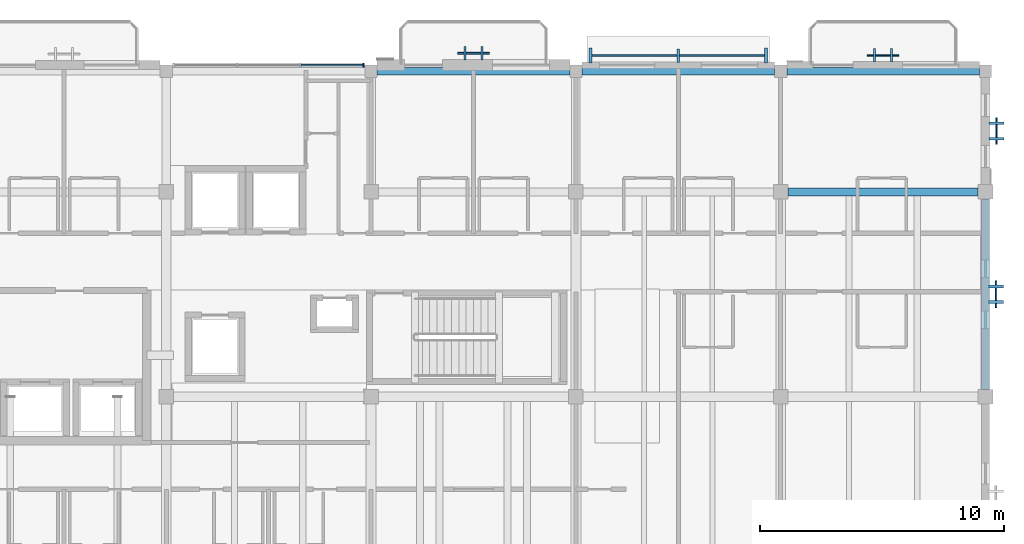
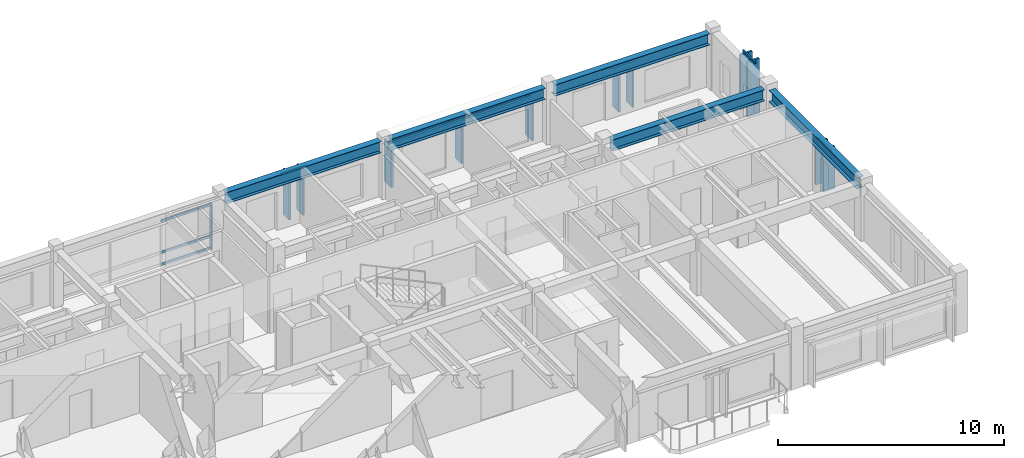
# One storey, part 4 of 31: 20 members, 5 beams, 6 elements without a shape of their own.
"""IFC4 building model written with IfcOpenShell, lengths in metres."""

from ifc_helpers import new_model, si_unit, direction, frame, origin, origin_2d, place, context, subcontext, project, spatial, rectangle, i_section, extrude, material, material_profile, profile_set, type_object, element, aggregate, save


model = new_model("IFC4")

# Units and contexts
model_context = context("Model", 3, precision=1e-05, world=origin(), true_north=direction((0.0, 1.0)))
body_context = subcontext(model_context, "Body", "Model", "MODEL_VIEW")
ifc_project = project(units=[si_unit("LENGTHUNIT", "METRE"), si_unit("AREAUNIT", "SQUARE_METRE"), si_unit("VOLUMEUNIT", "CUBIC_METRE"), si_unit("PLANEANGLEUNIT", "RADIAN"), si_unit("MASSUNIT", "GRAM", prefix="KILO")], contexts=[model_context])

# Site, building, storey
site_placement = place(None, origin())
site = spatial("IfcSite", under=ifc_project, at=site_placement, CompositionType="ELEMENT")
building_placement = place(site_placement, origin())
building = spatial("IfcBuilding", under=site, at=building_placement, Name="Cumbredor Promenade Congress Hotel", CompositionType="ELEMENT")
storey_placement = place(building_placement, frame((0.0, 0.0, 31.919921875)))
storey = spatial("IfcBuildingStorey", under=building, at=storey_placement, Name="L09", CompositionType="ELEMENT", Elevation=31.919921875)

# Beams
ifc_material_1 = material(Name="Steel ASTM A992 Grade 50", Category="steel")
ifc_material_profile_1 = material_profile(ifc_material_1, i_section(OverallWidth=0.323974609375, OverallDepth=0.611083984375, WebThickness=0.0126953125, FlangeThickness=0.01904296875, at=origin_2d()), Name="W24X104")
ifc_profile_set_1 = profile_set([ifc_material_profile_1], Name="Steel ASTM A992 Grade 50")
beam_type_1 = type_object("IfcBeamType", Name="BM-W24X104", PredefinedType="BEAM", material=ifc_profile_set_1)
beam_1_placement = place(storey_placement, frame((42.25, 114.14990234375, 2.794677734375), z_axis=(1.0, 0.0, 0.0), x_axis=(0.0, 1.0, 0.0)))
element("IfcBeam", 1, at=beam_1_placement, inside=storey, type_object=beam_type_1, Name="L10 X-Grid Beam 025", PredefinedType="BEAM", context=body_context, shape_type="SweptSolid", body=[
    extrude(i_section(OverallWidth=0.323974609375, OverallDepth=0.611083984375, WebThickness=0.0126953125, FlangeThickness=0.01904296875, at=origin_2d()), origin(), (0.0, 0.0, 1.0), 7.89990234375),
])
beam_2_placement = place(storey_placement, frame((50.64990234375, 114.14990234375, 2.734619140625), z_axis=(1.0, 0.0, 0.0), x_axis=(0.0, 1.0, 0.0)))
element("IfcBeam", 2, at=beam_2_placement, inside=storey, type_object=beam_type_1, Name="L10 X-Grid Beam 031", PredefinedType="BEAM", context=body_context, shape_type="SweptSolid", body=[
    extrude(i_section(OverallWidth=0.323974609375, OverallDepth=0.611083984375, WebThickness=0.0126953125, FlangeThickness=0.01904296875, at=origin_2d()), origin(), (0.0, 0.0, 1.0), 7.900146484375),
])
beam_3_placement = place(storey_placement, frame((59.10009765625, 109.199951171875, 2.734619140625), z_axis=(1.0, 0.0, 0.0), x_axis=(0.0, 1.0, 0.0)))
element("IfcBeam", 3, at=beam_3_placement, inside=storey, type_object=beam_type_1, Name="L10 X-Grid Beam 036", PredefinedType="BEAM", context=body_context, shape_type="SweptSolid", body=[
    extrude(i_section(OverallWidth=0.323974609375, OverallDepth=0.611083984375, WebThickness=0.0126953125, FlangeThickness=0.01904296875, at=origin_2d()), origin(), (0.0, 0.0, 1.0), 7.7998046875),
])
beam_4_placement = place(storey_placement, frame((59.050048828125, 114.14990234375, 2.734619140625), z_axis=(1.0, 0.0, 0.0), x_axis=(0.0, 1.0, 0.0)))
element("IfcBeam", 4, at=beam_4_placement, inside=storey, type_object=beam_type_1, Name="L10 X-Grid Beam 037", PredefinedType="BEAM", context=body_context, shape_type="SweptSolid", body=[
    extrude(i_section(OverallWidth=0.323974609375, OverallDepth=0.611083984375, WebThickness=0.0126953125, FlangeThickness=0.01904296875, at=origin_2d()), origin(), (0.0, 0.0, 1.0), 7.89990234375),
])

# Curtain wall, members
ifc_material_2 = material(Name="Thermally broken anodized aluminium and low-E glass", Category="aluminium")
curtain_wall_type_1 = type_object("IfcCurtainWallType", Name="Unitised Bronze Curtain Wall CW-01", PredefinedType="NOTDEFINED", material=ifc_material_2)
curtain_wall_1_placement = place(storey_placement, origin())
curtain_wall_1 = element("IfcCurtainWall", 5, at=curtain_wall_1_placement, inside=storey, type_object=curtain_wall_type_1, Name="L09 Stepped Congress Hotel Wing North Curtain Wall 4", PredefinedType="NOTDEFINED")
ifc_material_3 = material(Name="Thermally broken anodized aluminium", Category="aluminium")
ifc_material_profile_2 = material_profile(ifc_material_3, rectangle(XDim=0.06494140625, YDim=0.159912109375, at=origin_2d()), Name="ALU MULLION 65x160")
ifc_profile_set_2 = profile_set([ifc_material_profile_2], Name="Thermally broken anodized aluminium")
member_type_1 = type_object("IfcMemberType", Name="Curtain Wall Mullion ML-01", PredefinedType="MULLION", material=ifc_profile_set_2)
member_1_placement = place(storey_placement, frame((41.695068359375, 114.39990234375, -0.0078125), z_axis=(0.0, 0.0, 1.0), x_axis=(1.0, 0.0, 0.0)))
member_1 = element("IfcMember", 6, at=member_1_placement, type_object=member_type_1, Name="L09 Stepped Congress Hotel Wing North Curtain Wall 4 Mullion 4", PredefinedType="MULLION", context=body_context, shape_type="SweptSolid", body=[
    extrude(rectangle(XDim=0.06494140625, YDim=0.159912109375, at=origin_2d()), origin(), (0.0, 0.0, 1.0), 2.489990234375),
])
ifc_material_profile_3 = material_profile(ifc_material_3, rectangle(XDim=0.06494140625, YDim=0.1298828125, at=origin_2d()), Name="ALU TRANSOM 65x130")
ifc_profile_set_3 = profile_set([ifc_material_profile_3], Name="Thermally broken anodized aluminium")
member_type_2 = type_object("IfcMemberType", Name="Curtain Wall Transom TR-01", PredefinedType="USERDEFINED", material=ifc_profile_set_3)
member_2_placement = place(storey_placement, frame((39.130859375, 114.39990234375, 0.070068359375), z_axis=(1.0, 0.0, 0.0), x_axis=(0.0, 1.0, 0.0)))
member_2 = element("IfcMember", 7, at=member_2_placement, type_object=member_type_2, Name="L09 Stepped Congress Hotel Wing North Curtain Wall 4 Transom 3.1", ObjectType="TRANSOM", PredefinedType="USERDEFINED", context=body_context, shape_type="SweptSolid", body=[
    extrude(rectangle(XDim=0.06494140625, YDim=0.1298828125, at=origin_2d()), origin(), (0.0, 0.0, 1.0), 2.53173828125),
])
member_3_placement = place(storey_placement, frame((39.130859375, 114.39990234375, 0.719970703125), z_axis=(1.0, 0.0, 0.0), x_axis=(0.0, 1.0, 0.0)))
member_3 = element("IfcMember", 8, at=member_3_placement, type_object=member_type_2, Name="L09 Stepped Congress Hotel Wing North Curtain Wall 4 Transom 3.2", ObjectType="TRANSOM", PredefinedType="USERDEFINED", context=body_context, shape_type="SweptSolid", body=[
    extrude(rectangle(XDim=0.06494140625, YDim=0.1298828125, at=origin_2d()), origin(), (0.0, 0.0, 1.0), 2.53173828125),
])
member_4_placement = place(storey_placement, frame((39.130859375, 114.39990234375, 2.41015625), z_axis=(1.0, 0.0, 0.0), x_axis=(0.0, 1.0, 0.0)))
member_4 = element("IfcMember", 9, at=member_4_placement, type_object=member_type_2, Name="L09 Stepped Congress Hotel Wing North Curtain Wall 4 Transom 3.3", ObjectType="TRANSOM", PredefinedType="USERDEFINED", context=body_context, shape_type="SweptSolid", body=[
    extrude(rectangle(XDim=0.06494140625, YDim=0.1298828125, at=origin_2d()), origin(), (0.0, 0.0, 1.0), 2.53173828125),
])
aggregate(curtain_wall_1, [member_1, member_2, member_3, member_4])

# Curtain wall, member
curtain_wall_type_2 = type_object("IfcCurtainWallType", Name="Solar Brise-Soleil Screen Assembly CW-07", PredefinedType="NOTDEFINED", material=ifc_material_2)
curtain_wall_2_placement = place(storey_placement, origin())
curtain_wall_2 = element("IfcCurtainWall", 10, at=curtain_wall_2_placement, inside=storey, type_object=curtain_wall_type_2, Name="L09 Veranda Solar Brise-Soleil Screen 1123", PredefinedType="NOTDEFINED")
member_5_placement = place(storey_placement, frame((45.550048828125, 114.885009765625, 2.39404296875), z_axis=(1.0, 0.0, 0.0), x_axis=(0.0, 1.0, 0.0)))
member_5 = element("IfcMember", 11, at=member_5_placement, type_object=member_type_2, Name="L09 Brise-Soleil Header Tie 1125", ObjectType="TRANSOM", PredefinedType="USERDEFINED", context=body_context, shape_type="SweptSolid", body=[
    extrude(rectangle(XDim=0.06494140625, YDim=0.1298828125, at=origin_2d()), origin(), (0.0, 0.0, 1.0), 1.300048828125),
])

curtain_wall_3_placement = place(storey_placement, origin())
curtain_wall_3 = element("IfcCurtainWall", 12, at=curtain_wall_3_placement, inside=storey, type_object=curtain_wall_type_2, Name="L09 Hospitality Brise-Soleil Screen 116", PredefinedType="NOTDEFINED")
member_6_placement = place(storey_placement, frame((50.950927734375, 114.7900390625, 2.234130859375), z_axis=(1.0, 0.0, 0.0), x_axis=(0.0, 1.0, 0.0)))
member_6 = element("IfcMember", 13, at=member_6_placement, type_object=member_type_2, Name="L09 Brise-Soleil Screen Transom 116", ObjectType="TRANSOM", PredefinedType="USERDEFINED", context=body_context, shape_type="SweptSolid", body=[
    extrude(rectangle(XDim=0.06494140625, YDim=0.1298828125, at=origin_2d()), origin(), (0.0, 0.0, 1.0), 7.298095703125),
])

curtain_wall_4_placement = place(storey_placement, origin())
curtain_wall_4 = element("IfcCurtainWall", 14, at=curtain_wall_4_placement, inside=storey, type_object=curtain_wall_type_2, Name="L09 Veranda Solar Brise-Soleil Screen 1129", PredefinedType="NOTDEFINED")
member_7_placement = place(storey_placement, frame((62.35009765625, 114.800048828125, 2.333984375), z_axis=(1.0, 0.0, 0.0), x_axis=(0.0, 1.0, 0.0)))
member_7 = element("IfcMember", 15, at=member_7_placement, type_object=member_type_2, Name="L09 Brise-Soleil Header Tie 1131", ObjectType="TRANSOM", PredefinedType="USERDEFINED", context=body_context, shape_type="SweptSolid", body=[
    extrude(rectangle(XDim=0.06494140625, YDim=0.1298828125, at=origin_2d()), origin(), (0.0, 0.0, 1.0), 1.2998046875),
])

curtain_wall_5_placement = place(storey_placement, origin())
curtain_wall_5 = element("IfcCurtainWall", 16, at=curtain_wall_5_placement, inside=storey, type_object=curtain_wall_type_2, Name="L09 Pier Brise-Soleil Screen 1144", PredefinedType="NOTDEFINED")
member_8_placement = place(storey_placement, frame((67.635009765625, 104.449951171875, 2.254150390625), z_axis=(0.0, 1.0, 0.0), x_axis=(-1.0, 0.0, 0.0)))
member_8 = element("IfcMember", 17, at=member_8_placement, type_object=member_type_2, Name="L09 Pier Brise-Soleil Header 1146", ObjectType="TRANSOM", PredefinedType="USERDEFINED", context=body_context, shape_type="SweptSolid", body=[
    extrude(rectangle(XDim=0.06494140625, YDim=0.1298828125, at=origin_2d()), origin(), (0.0, 0.0, 1.0), 1.10009765625),
])

curtain_wall_6_placement = place(storey_placement, origin())
curtain_wall_6 = element("IfcCurtainWall", 18, at=curtain_wall_6_placement, inside=storey, type_object=curtain_wall_type_2, Name="L09 Pier Brise-Soleil Screen 1147", PredefinedType="NOTDEFINED")
member_9_placement = place(storey_placement, frame((67.64990234375, 111.14990234375, 2.940185546875), z_axis=(0.0, 1.0, 0.0), x_axis=(-1.0, 0.0, 0.0)))
member_9 = element("IfcMember", 19, at=member_9_placement, type_object=member_type_2, Name="L09 Pier Brise-Soleil Header 1149", ObjectType="TRANSOM", PredefinedType="USERDEFINED", context=body_context, shape_type="SweptSolid", body=[
    extrude(rectangle(XDim=0.06494140625, YDim=0.1298828125, at=origin_2d()), origin(), (0.0, 0.0, 1.0), 1.10009765625),
])

# Beam
ifc_material_profile_4 = material_profile(ifc_material_1, i_section(OverallWidth=0.323974609375, OverallDepth=0.611083984375, WebThickness=0.0126953125, FlangeThickness=0.01904296875, at=origin_2d()), Name="W24X104")
ifc_profile_set_4 = profile_set([ifc_material_profile_4], Name="Steel ASTM A992 Grade 50")
beam_type_2 = type_object("IfcBeamType", Name="SP-W24X104", PredefinedType="SPANDREL", material=ifc_profile_set_4)
beam_5_placement = place(storey_placement, frame((67.199951171875, 101.10009765625, 2.734619140625), z_axis=(0.0, 1.0, 0.0), x_axis=(-1.0, 0.0, 0.0)))
element("IfcBeam", 20, at=beam_5_placement, inside=storey, type_object=beam_type_2, Name="L10 Y-Grid Beam 039", PredefinedType="SPANDREL", context=body_context, shape_type="SweptSolid", body=[
    extrude(i_section(OverallWidth=0.323974609375, OverallDepth=0.611083984375, WebThickness=0.0126953125, FlangeThickness=0.01904296875, at=origin_2d()), origin(), (0.0, 0.0, 1.0), 7.7998046875),
])

# Member
ifc_material_profile_5 = material_profile(ifc_material_3, rectangle(XDim=0.110107421875, YDim=0.6201171875, at=origin_2d()), Name="ARCH FIN 110x620")
ifc_profile_set_5 = profile_set([ifc_material_profile_5], Name="Thermally broken anodized aluminium")
member_type_3 = type_object("IfcMemberType", Name="Vertical Bronze Brise-Soleil Fin BSF-02 110x620", PredefinedType="USERDEFINED", material=ifc_profile_set_5)
member_10_placement = place(storey_placement, frame((51.0009765625, 114.7900390625, 0.02001953125), z_axis=(0.0, 0.0, 1.0), x_axis=(1.0, 0.0, 0.0)))
member_10 = element("IfcMember", 21, at=member_10_placement, type_object=member_type_3, Name="L09 Vertical Brise-Soleil Fin 1126", ObjectType="SOLAR FIN", PredefinedType="USERDEFINED", context=body_context, shape_type="SweptSolid", body=[
    extrude(rectangle(XDim=0.110107421875, YDim=0.6201171875, at=origin_2d()), origin(), (0.0, 0.0, 1.0), 2.274169921875),
])

member_11_placement = place(storey_placement, frame((58.198974609375, 114.7900390625, 0.02001953125), z_axis=(0.0, 0.0, 1.0), x_axis=(1.0, 0.0, 0.0)))
member_11 = element("IfcMember", 22, at=member_11_placement, type_object=member_type_3, Name="L09 Vertical Brise-Soleil Fin 1128", ObjectType="SOLAR FIN", PredefinedType="USERDEFINED", context=body_context, shape_type="SweptSolid", body=[
    extrude(rectangle(XDim=0.110107421875, YDim=0.6201171875, at=origin_2d()), origin(), (0.0, 0.0, 1.0), 2.274169921875),
])

member_12_placement = place(storey_placement, frame((67.635009765625, 104.679931640625, 0.02001953125), z_axis=(0.0, 0.0, 1.0), x_axis=(0.0, 1.0, 0.0)))
member_12 = element("IfcMember", 23, at=member_12_placement, type_object=member_type_3, Name="L09 Pier Brise-Soleil Fin 1145", ObjectType="SOLAR FIN", PredefinedType="USERDEFINED", context=body_context, shape_type="SweptSolid", body=[
    extrude(rectangle(XDim=0.110107421875, YDim=0.6201171875, at=origin_2d()), origin(), (0.0, 0.0, 1.0), 2.274169921875),
])

member_13_placement = place(storey_placement, frame((67.635009765625, 105.320068359375, 0.02001953125), z_axis=(0.0, 0.0, 1.0), x_axis=(0.0, 1.0, 0.0)))
member_13 = element("IfcMember", 24, at=member_13_placement, type_object=member_type_3, Name="L09 Pier Brise-Soleil Fin 1146", ObjectType="SOLAR FIN", PredefinedType="USERDEFINED", context=body_context, shape_type="SweptSolid", body=[
    extrude(rectangle(XDim=0.110107421875, YDim=0.6201171875, at=origin_2d()), origin(), (0.0, 0.0, 1.0), 2.274169921875),
])

aggregate(curtain_wall_5, [member_12, member_13, member_8])

member_14_placement = place(storey_placement, frame((67.64990234375, 111.3798828125, 0.02001953125), z_axis=(0.0, 0.0, 1.0), x_axis=(0.0, 1.0, 0.0)))
member_14 = element("IfcMember", 25, at=member_14_placement, type_object=member_type_3, Name="L09 Pier Brise-Soleil Fin 1148", ObjectType="SOLAR FIN", PredefinedType="USERDEFINED", context=body_context, shape_type="SweptSolid", body=[
    extrude(rectangle(XDim=0.110107421875, YDim=0.6201171875, at=origin_2d()), origin(), (0.0, 0.0, 1.0), 2.9599609375),
])

member_15_placement = place(storey_placement, frame((67.64990234375, 112.02001953125, 0.02001953125), z_axis=(0.0, 0.0, 1.0), x_axis=(0.0, 1.0, 0.0)))
member_15 = element("IfcMember", 26, at=member_15_placement, type_object=member_type_3, Name="L09 Pier Brise-Soleil Fin 1149", ObjectType="SOLAR FIN", PredefinedType="USERDEFINED", context=body_context, shape_type="SweptSolid", body=[
    extrude(rectangle(XDim=0.110107421875, YDim=0.6201171875, at=origin_2d()), origin(), (0.0, 0.0, 1.0), 2.9599609375),
])

aggregate(curtain_wall_6, [member_14, member_15, member_9])

ifc_material_4 = material(Name="Kiln-dried tropical hardwood", Category="wood")
ifc_material_profile_6 = material_profile(ifc_material_4, rectangle(XDim=0.090087890625, YDim=0.550048828125, at=origin_2d()), Name="ARCH FIN 90x550")
ifc_profile_set_6 = profile_set([ifc_material_profile_6], Name="Kiln-dried tropical hardwood")
member_type_4 = type_object("IfcMemberType", Name="Vertical Hardwood Brise-Soleil Fin BSF-01 90x550", PredefinedType="USERDEFINED", material=ifc_profile_set_6)
member_16_placement = place(storey_placement, frame((45.85009765625, 114.885009765625, -0.010009765625), z_axis=(0.0, 0.0, 1.0), x_axis=(1.0, 0.0, 0.0)))
member_16 = element("IfcMember", 27, at=member_16_placement, type_object=member_type_4, Name="L09 Vertical Hardwood Brise-Soleil Fin 1124", ObjectType="SOLAR FIN", PredefinedType="USERDEFINED", context=body_context, shape_type="SweptSolid", body=[
    extrude(rectangle(XDim=0.090087890625, YDim=0.550048828125, at=origin_2d()), origin(), (0.0, 0.0, 1.0), 2.464111328125),
])

member_17_placement = place(storey_placement, frame((46.550048828125, 114.885009765625, -0.010009765625), z_axis=(0.0, 0.0, 1.0), x_axis=(1.0, 0.0, 0.0)))
member_17 = element("IfcMember", 28, at=member_17_placement, type_object=member_type_4, Name="L09 Vertical Hardwood Brise-Soleil Fin 1125", ObjectType="SOLAR FIN", PredefinedType="USERDEFINED", context=body_context, shape_type="SweptSolid", body=[
    extrude(rectangle(XDim=0.090087890625, YDim=0.550048828125, at=origin_2d()), origin(), (0.0, 0.0, 1.0), 2.464111328125),
])

aggregate(curtain_wall_2, [member_16, member_17, member_5])

member_18_placement = place(storey_placement, frame((54.60009765625, 114.7900390625, 0.02001953125), z_axis=(0.0, 0.0, 1.0), x_axis=(1.0, 0.0, 0.0)))
member_18 = element("IfcMember", 29, at=member_18_placement, type_object=member_type_4, Name="L09 Vertical Brise-Soleil Fin 1127", ObjectType="SOLAR FIN", PredefinedType="USERDEFINED", context=body_context, shape_type="SweptSolid", body=[
    extrude(rectangle(XDim=0.090087890625, YDim=0.550048828125, at=origin_2d()), origin(), (0.0, 0.0, 1.0), 2.274169921875),
])

aggregate(curtain_wall_3, [member_6, member_10, member_18, member_11])

member_19_placement = place(storey_placement, frame((62.64990234375, 114.800048828125, -0.010009765625), z_axis=(0.0, 0.0, 1.0), x_axis=(1.0, 0.0, 0.0)))
member_19 = element("IfcMember", 30, at=member_19_placement, type_object=member_type_4, Name="L09 Vertical Hardwood Brise-Soleil Fin 1130", ObjectType="SOLAR FIN", PredefinedType="USERDEFINED", context=body_context, shape_type="SweptSolid", body=[
    extrude(rectangle(XDim=0.090087890625, YDim=0.550048828125, at=origin_2d()), origin(), (0.0, 0.0, 1.0), 2.404052734375),
])

member_20_placement = place(storey_placement, frame((63.35009765625, 114.800048828125, -0.010009765625), z_axis=(0.0, 0.0, 1.0), x_axis=(1.0, 0.0, 0.0)))
member_20 = element("IfcMember", 31, at=member_20_placement, type_object=member_type_4, Name="L09 Vertical Hardwood Brise-Soleil Fin 1131", ObjectType="SOLAR FIN", PredefinedType="USERDEFINED", context=body_context, shape_type="SweptSolid", body=[
    extrude(rectangle(XDim=0.090087890625, YDim=0.550048828125, at=origin_2d()), origin(), (0.0, 0.0, 1.0), 2.404052734375),
])

aggregate(curtain_wall_4, [member_19, member_20, member_7])

save(model, "model.ifc")
